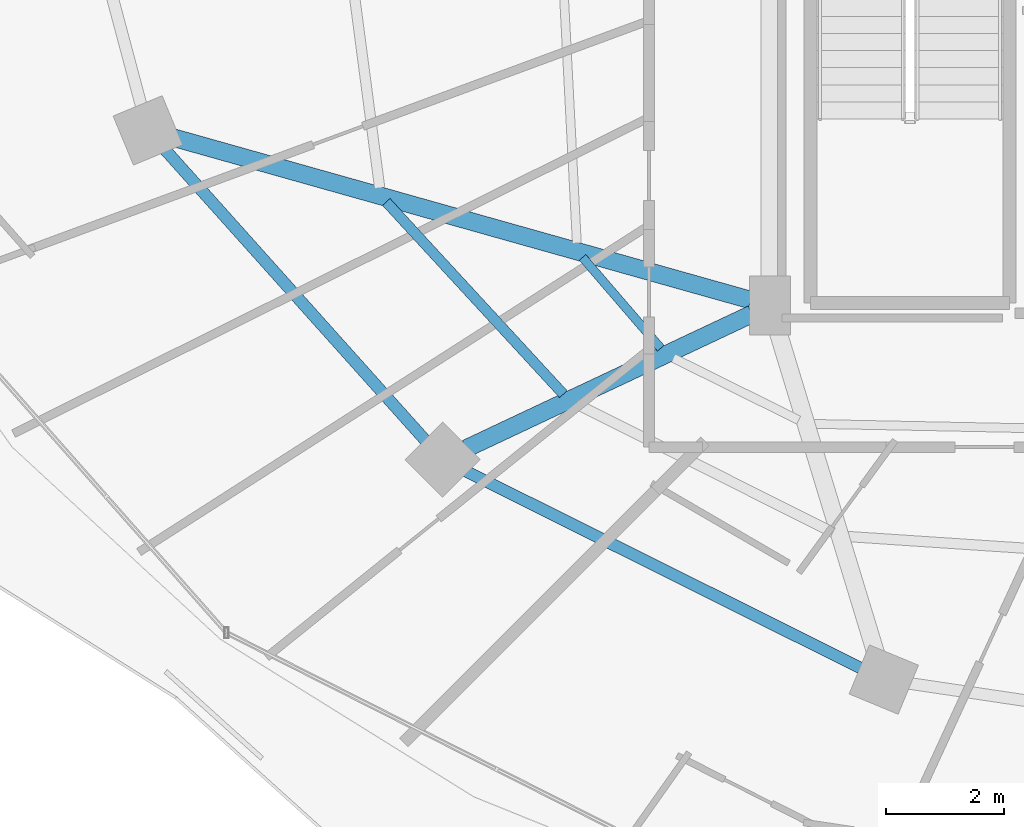
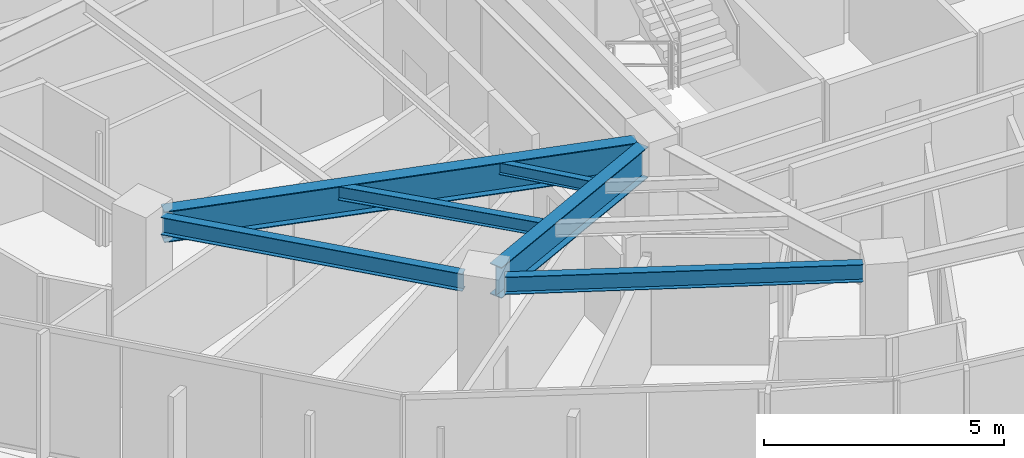
# One storey, part 4 of 34: 6 beams.
"""IFC4 building model written with IfcOpenShell, lengths in metres."""

from ifc_helpers import new_model, si_unit, direction, frame, origin, origin_2d, place, context, subcontext, project, spatial, i_section, extrude, material, material_profile, profile_set, type_object, element, save


model = new_model("IFC4")

# Units and contexts
model_context = context("Model", 3, precision=1e-05, world=origin(), true_north=direction((0.0, 1.0)))
body_context = subcontext(model_context, "Body", "Model", "MODEL_VIEW")
ifc_project = project(units=[si_unit("LENGTHUNIT", "METRE"), si_unit("AREAUNIT", "SQUARE_METRE"), si_unit("VOLUMEUNIT", "CUBIC_METRE"), si_unit("PLANEANGLEUNIT", "RADIAN"), si_unit("MASSUNIT", "GRAM", prefix="KILO")], contexts=[model_context])

# Site, building, storey
site_placement = place(None, origin())
site = spatial("IfcSite", under=ifc_project, at=site_placement, CompositionType="ELEMENT")
building_placement = place(site_placement, origin())
building = spatial("IfcBuilding", under=site, at=building_placement, Name="Vorneva Point Tower", CompositionType="ELEMENT")
storey_placement = place(building_placement, frame((0.0, 0.0, 186.10009765625)))
storey = spatial("IfcBuildingStorey", under=building, at=storey_placement, Name="L50", CompositionType="ELEMENT", Elevation=186.10009765625)

# Beams
ifc_material = material(Name="Steel S355", Category="steel")
ifc_material_profile_1 = material_profile(ifc_material, i_section(OverallWidth=0.300048828125, OverallDepth=0.7880859375, WebThickness=0.014404296875, FlangeThickness=0.02197265625, at=origin_2d()), Name="80Sh1")
ifc_profile_set_1 = profile_set([ifc_material_profile_1], Name="Steel S355")
beam_type_1 = type_object("IfcBeamType", Name="BM-GRD-80Sh1", PredefinedType="USERDEFINED", material=ifc_profile_set_1)
beam_1_placement = place(storey_placement, frame((17.126220703125, 19.299072265625, 2.845947265625), z_axis=(0.962603641144, -0.270913694847, 0.0), x_axis=(0.270913694847, 0.962603641144, 0.0)))
element("IfcBeam", 1, at=beam_1_placement, inside=storey, type_object=beam_type_1, Name="L50 Radial Primary Girder 10", ObjectType="GIRDER", PredefinedType="USERDEFINED", context=body_context, shape_type="SweptSolid", body=[
    extrude(i_section(OverallWidth=0.300048828125, OverallDepth=0.7880859375, WebThickness=0.014404296875, FlangeThickness=0.02197265625, at=origin_2d()), origin(), (0.0, 0.0, 1.0), 10.177001953125),
])
beam_2_placement = place(storey_placement, frame((22.097412109375, 14.0244140625, 2.845947265625), z_axis=(0.904762899762, 0.42591559635, 0.0), x_axis=(-0.42591559635, 0.904762899762, 0.0)))
element("IfcBeam", 2, at=beam_2_placement, inside=storey, type_object=beam_type_1, Name="L50 Radial Primary Girder 11", ObjectType="GIRDER", PredefinedType="USERDEFINED", context=body_context, shape_type="SweptSolid", body=[
    extrude(i_section(OverallWidth=0.300048828125, OverallDepth=0.7880859375, WebThickness=0.014404296875, FlangeThickness=0.02197265625, at=origin_2d()), origin(), (0.0, 0.0, 1.0), 5.35498046875),
])
ifc_material_profile_2 = material_profile(ifc_material, i_section(OverallWidth=0.14892578125, OverallDepth=0.298095703125, WebThickness=0.005615234375, FlangeThickness=0.008056640625, at=origin_2d()), Name="30B1")
ifc_profile_set_2 = profile_set([ifc_material_profile_2], Name="Steel S355")
beam_type_2 = type_object("IfcBeamType", Name="BM-JST-30B1", PredefinedType="JOIST", material=ifc_profile_set_2)
beam_3_placement = place(storey_placement, frame((24.07373046875, 17.2646484375, 3.0908203125), z_axis=(0.652492456858, -0.757795218871, 0.0), x_axis=(0.757795218871, 0.652492456858, 0.0)))
element("IfcBeam", 3, at=beam_3_placement, inside=storey, type_object=beam_type_2, Name="L50 Secondary Floor Beam 2.10", PredefinedType="JOIST", context=body_context, shape_type="SweptSolid", body=[
    extrude(i_section(OverallWidth=0.14892578125, OverallDepth=0.298095703125, WebThickness=0.005615234375, FlangeThickness=0.008056640625, at=origin_2d()), origin(), (0.0, 0.0, 1.0), 2.031005859375),
])
ifc_material_profile_3 = material_profile(ifc_material, i_section(OverallWidth=0.174072265625, OverallDepth=0.345947265625, WebThickness=0.006103515625, FlangeThickness=0.009033203125, at=origin_2d()), Name="35B1")
ifc_profile_set_3 = profile_set([ifc_material_profile_3], Name="Steel S355")
beam_type_3 = type_object("IfcBeamType", Name="BM-SEC-35B1", PredefinedType="BEAM", material=ifc_profile_set_3)
beam_4_placement = place(storey_placement, frame((20.746337890625, 18.205078125, 3.06689453125), z_axis=(0.677611480148, -0.735420071777, 0.0), x_axis=(0.735420071777, 0.677611480148, 0.0)))
element("IfcBeam", 4, at=beam_4_placement, inside=storey, type_object=beam_type_3, Name="L50 Secondary Floor Beam 1.10", PredefinedType="BEAM", context=body_context, shape_type="SweptSolid", body=[
    extrude(i_section(OverallWidth=0.174072265625, OverallDepth=0.345947265625, WebThickness=0.006103515625, FlangeThickness=0.009033203125, at=origin_2d()), origin(), (0.0, 0.0, 1.0), 4.43017578125),
])
ifc_material_profile_4 = material_profile(ifc_material, i_section(OverallWidth=0.198974609375, OverallDepth=0.446044921875, WebThickness=0.008056640625, FlangeThickness=0.011962890625, at=origin_2d()), Name="45B1")
ifc_profile_set_4 = profile_set([ifc_material_profile_4], Name="Steel S355")
beam_type_4 = type_object("IfcBeamType", Name="BM-SPN-45B1", PredefinedType="SPANDREL", material=ifc_profile_set_4)
beam_5_placement = place(storey_placement, frame((16.994873046875, 19.09375, 3.016845703125), z_axis=(0.66706970547, -0.744995307397, 0.0), x_axis=(0.744995307397, 0.66706970547, 0.0)))
element("IfcBeam", 5, at=beam_5_placement, inside=storey, type_object=beam_type_4, Name="L50 Perimeter Spandrel Ring Beam 10", PredefinedType="SPANDREL", context=body_context, shape_type="SweptSolid", body=[
    extrude(i_section(OverallWidth=0.198974609375, OverallDepth=0.446044921875, WebThickness=0.008056640625, FlangeThickness=0.011962890625, at=origin_2d()), origin(), (0.0, 0.0, 1.0), 6.6201171875),
])
beam_6_placement = place(storey_placement, frame((22.090576171875, 13.643798828125, 3.016845703125), z_axis=(0.894922371084, -0.446221861559, 0.0), x_axis=(0.446221861559, 0.894922371084, 0.0)))
element("IfcBeam", 6, at=beam_6_placement, inside=storey, type_object=beam_type_4, Name="L50 Perimeter Spandrel Ring Beam 11", PredefinedType="SPANDREL", context=body_context, shape_type="SweptSolid", body=[
    extrude(i_section(OverallWidth=0.198974609375, OverallDepth=0.446044921875, WebThickness=0.008056640625, FlangeThickness=0.011962890625, at=origin_2d()), origin(), (0.0, 0.0, 1.0), 7.48583984375),
])

save(model, "model.ifc")
